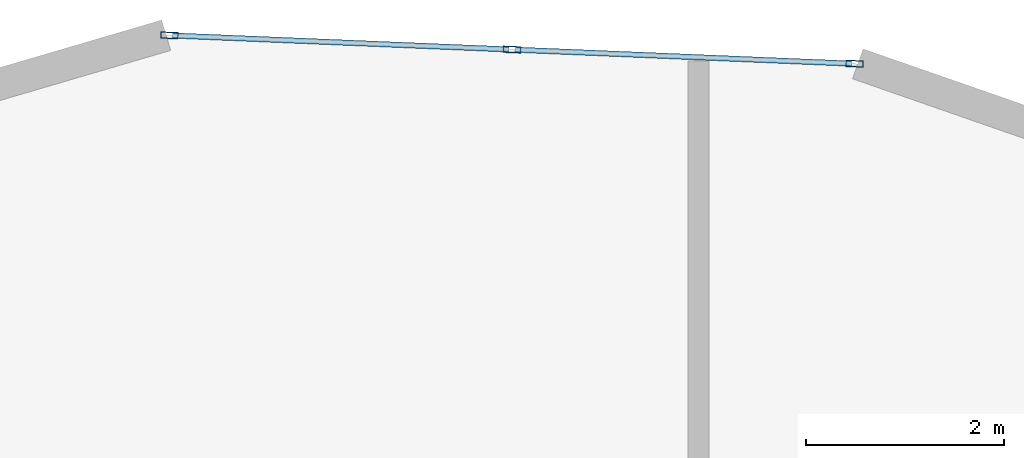
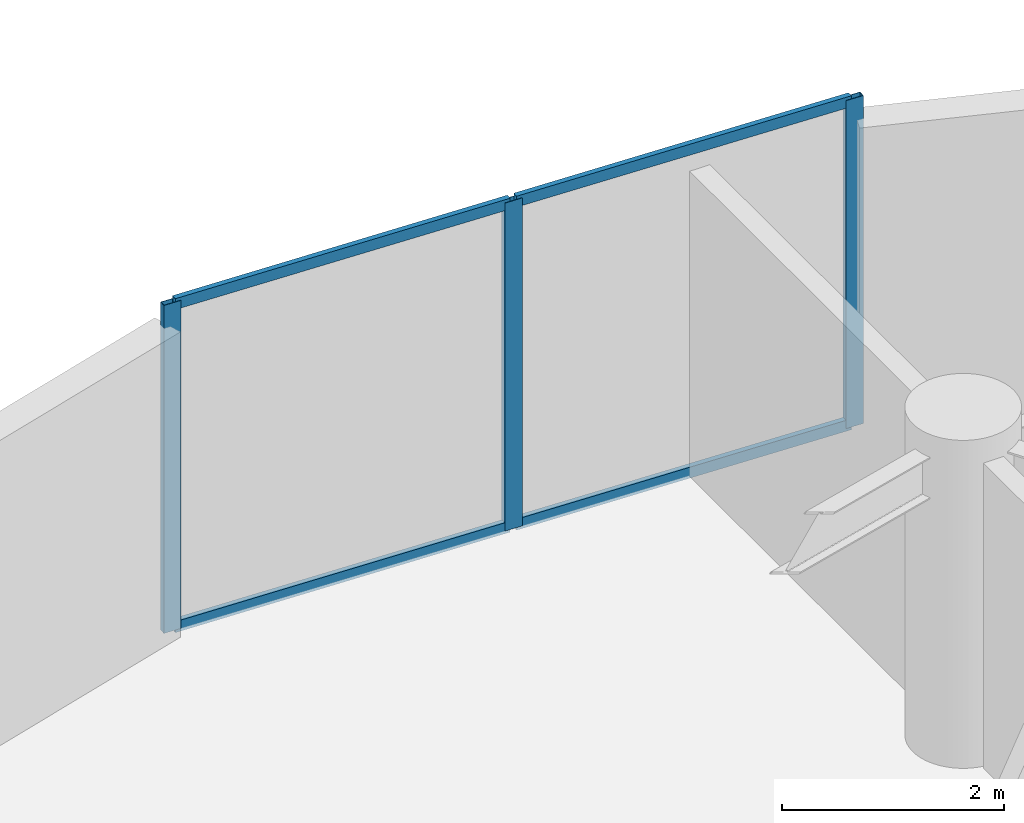
# One storey, part 15 of 23: 7 members, 1 element without a shape of its own.
"""IFC4 building model written with IfcOpenShell, lengths in metres."""

import ifcopenshell
import ifcopenshell.guid

model = None  # the IFC model being written
_history = None  # IfcOwnerHistory: only IFC2X3 demands one
_inside = {}  # id of a spatial element -> (the spatial element, [elements in it])
_under = {}  # id of a project, library or spatial element -> (it, [spatial elements below it])
_declared = {}  # id of a project -> (the project, [libraries it declares])
_typed = {}  # id of a type object -> (the type object, [elements of that type])
_made_of = {}  # id of a material, layer set ... -> (it, [elements and type objects made of it])


def new_model(schema):
    """Start an empty IFC model of exactly this schema.

    Asked for "IFC4X3", IfcOpenShell would pick the latest addendum, in which some entities
    have other attributes; the version numbers below select the first issue.
    IFC2X3 requires an IfcOwnerHistory on every rooted entity: one is made here for all.
    """
    global model, _history
    if schema == "IFC4X3":
        model = ifcopenshell.file(schema_version=(4, 3, 0, 0))
    else:
        model = ifcopenshell.file(schema=schema)
    _inside.clear()
    _under.clear()
    _declared.clear()
    _typed.clear()
    _made_of.clear()
    _history = None
    if model.schema == "IFC2X3":
        org = make("IfcOrganization", Name="unknown")
        user = make(
            "IfcPersonAndOrganization",
            ThePerson=make("IfcPerson", FamilyName="unknown"),
            TheOrganization=org,
        )
        app = make(
            "IfcApplication",
            ApplicationDeveloper=org,
            Version="unknown",
            ApplicationFullName="unknown",
            ApplicationIdentifier="unknown",
        )
        _history = make(
            "IfcOwnerHistory",
            OwningUser=user,
            OwningApplication=app,
            ChangeAction="ADDED",
            CreationDate=0,
        )
    return model


def make(cls, **values):
    """One entity of the class cls with the attributes given. An attribute that is None is left unset."""
    return model.create_entity(
        cls, **{name: value for name, value in values.items() if value is not None}
    )


def rooted(cls, **values):
    """An entity with a GlobalId (a new one), such as an element, a storey or a relation."""
    return make(cls, GlobalId=ifcopenshell.guid.new(), OwnerHistory=_history, **values)


def si_unit(unit_type, name, prefix=None):
    """IfcSIUnit, for example si_unit("LENGTHUNIT", "METRE", prefix="MILLI")."""
    return make("IfcSIUnit", UnitType=unit_type, Prefix=prefix, Name=name)


def assignment(units):
    """IfcUnitAssignment: the units of a project."""
    return None if units is None else make("IfcUnitAssignment", Units=units)


def point(xyz):
    """IfcCartesianPoint."""
    return None if xyz is None else make("IfcCartesianPoint", Coordinates=xyz)


def direction(xyz):
    """IfcDirection."""
    return None if xyz is None else make("IfcDirection", DirectionRatios=xyz)


def frame(location, z_axis=None, x_axis=None):
    """IfcAxis2Placement3D, a coordinate frame: its origin and axes. An axis left out is left unset."""
    return make(
        "IfcAxis2Placement3D",
        Location=point(location),
        Axis=direction(z_axis),
        RefDirection=direction(x_axis),
    )


def frame_2d(location, x_axis=None):
    """IfcAxis2Placement2D, a coordinate frame in the plane: its origin and x axis."""
    return make(
        "IfcAxis2Placement2D", Location=point(location), RefDirection=direction(x_axis)
    )


def origin():
    """The frame at (0, 0, 0) with its axes left unset."""
    return frame((0.0, 0.0, 0.0))


def origin_2d():
    """The frame at (0, 0) in the plane with its x axis left unset."""
    return frame_2d((0.0, 0.0))


def place(relative_to, where):
    """IfcLocalPlacement: puts the frame where relative to a parent placement (None: the world)."""
    return make(
        "IfcLocalPlacement", PlacementRelTo=relative_to, RelativePlacement=where
    )


def context(
    kind, dimensions, precision=None, world=None, true_north=None, identifier=None
):
    """IfcGeometricRepresentationContext, for example the 3D "Model" context."""
    return make(
        "IfcGeometricRepresentationContext",
        ContextIdentifier=identifier,
        ContextType=kind,
        CoordinateSpaceDimension=dimensions,
        Precision=precision,
        WorldCoordinateSystem=world,
        TrueNorth=true_north,
    )


def subcontext(parent, identifier, kind, view, scale=None):
    """IfcGeometricRepresentationSubContext, for example "Body" below "Model"."""
    return make(
        "IfcGeometricRepresentationSubContext",
        ContextIdentifier=identifier,
        ContextType=kind,
        ParentContext=parent,
        TargetScale=scale,
        TargetView=view,
    )


def project(units=None, contexts=None):
    """IfcProject with its units and contexts."""
    return rooted(
        "IfcProject",
        Name="project",
        RepresentationContexts=contexts,
        UnitsInContext=assignment(units),
    )


def spatial(cls, under=None, at=None, **own):
    """A site, building, storey or space (cls), placed at a placement, below another one or the project."""
    s = rooted(cls, ObjectPlacement=at, **own)
    if under is not None:
        _under.setdefault(under.id(), (under, []))[1].append(s)
    return s


def profile(cls, at=None, kind="AREA", **sizes):
    """A parametric profile (cls). Its sizes go by their IFC names, for example OverallWidth=200.0."""
    return make(cls, ProfileType=kind, Position=at, **sizes)


def hollow_rectangle(**sizes):
    """IfcRectangleHollowProfileDef."""
    return profile("IfcRectangleHollowProfileDef", **sizes)


def extrude(swept, where, along, depth):
    """IfcExtrudedAreaSolid: the profile swept, set in the frame where, extruded along a direction by depth."""
    return make(
        "IfcExtrudedAreaSolid",
        SweptArea=swept,
        Position=where,
        ExtrudedDirection=direction(along),
        Depth=depth,
    )


def shape(context_of_items, identifier, shape_type, items):
    """IfcShapeRepresentation: the items that make up one representation, for example the "Body"."""
    return make(
        "IfcShapeRepresentation",
        ContextOfItems=context_of_items,
        RepresentationIdentifier=identifier,
        RepresentationType=shape_type,
        Items=items,
    )


def source(mapping_origin, context_of_items, identifier, shape_type, items):
    """IfcRepresentationMap: a shape defined once, which mapped items show again and again."""
    return make(
        "IfcRepresentationMap",
        MappingOrigin=mapping_origin,
        MappedRepresentation=shape(context_of_items, identifier, shape_type, items),
    )


def transform(
    local_origin,
    x_axis=None,
    y_axis=None,
    z_axis=None,
    scale=None,
    scale2=None,
    scale3=None,
    uniform=True,
):
    """IfcCartesianTransformationOperator3D, or its non-uniform kind. x_axis, y_axis, z_axis: its Axis1, 2, 3."""
    if uniform:
        return make(
            "IfcCartesianTransformationOperator3D",
            Axis1=direction(x_axis),
            Axis2=direction(y_axis),
            LocalOrigin=point(local_origin),
            Scale=scale,
            Axis3=direction(z_axis),
        )
    return make(
        "IfcCartesianTransformationOperator3DnonUniform",
        Axis1=direction(x_axis),
        Axis2=direction(y_axis),
        LocalOrigin=point(local_origin),
        Scale=scale,
        Axis3=direction(z_axis),
        Scale2=scale2,
        Scale3=scale3,
    )


def mapped(mapping_source, mapping_target):
    """IfcMappedItem: shows the shape of a source again, moved by a transform."""
    return make(
        "IfcMappedItem", MappingSource=mapping_source, MappingTarget=mapping_target
    )


def material(Name=None, Category=None):
    """IfcMaterial."""
    return make("IfcMaterial", Name=Name, Category=Category)


def layer(
    of_material, thickness, ventilated=None, Name=None, Category=None, Priority=None
):
    """IfcMaterialLayer: one layer of a wall or slab, of a material (None: an air gap)."""
    return make(
        "IfcMaterialLayer",
        Material=of_material,
        LayerThickness=thickness,
        IsVentilated=ventilated,
        Name=Name,
        Category=Category,
        Priority=Priority,
    )


def layer_set(layers, Name=None):
    """IfcMaterialLayerSet."""
    return make("IfcMaterialLayerSet", MaterialLayers=layers, LayerSetName=Name)


def material_profile(
    of_material, cross_section, Name=None, Category=None, Priority=None
):
    """IfcMaterialProfile: a cross section and its material."""
    return make(
        "IfcMaterialProfile",
        Name=Name,
        Material=of_material,
        Profile=cross_section,
        Priority=Priority,
        Category=Category,
    )


def profile_set(profiles, Name=None, composite=None):
    """IfcMaterialProfileSet."""
    return make(
        "IfcMaterialProfileSet",
        Name=Name,
        MaterialProfiles=profiles,
        CompositeProfile=composite,
    )


def made_of(thing, what):
    """Note that an element or type object is made of a material, layer set ...; save() writes the relation."""
    if what is not None:
        _made_of.setdefault(what.id(), (what, []))[1].append(thing)
    return thing


def type_object(cls, material=None, **own):
    """A type object (cls), such as IfcWallType, which elements share."""
    return made_of(rooted(cls, **own), material)


def element(
    cls,
    number,
    at=None,
    inside=None,
    cuts=None,
    type_object=None,
    material=None,
    context=None,
    identifier="Body",
    shape_type=None,
    held_by="IfcProductDefinitionShape",
    body=None,
    shapes=None,
    **own,
):
    """One element of the class cls, such as IfcWall. Its Tag is "e" and its number.

    at: its placement. inside: the storey or other place that contains it. cuts: it is an
    opening in that element (IfcRelVoidsElement). A single representation is given by context,
    identifier, shape_type and body (its items); several are given by shapes. held_by: the class
    of the entity that holds the representations. save() writes the other relations.
    """
    e = rooted(cls, Tag="e%d" % number, ObjectPlacement=at, **own)
    if body is not None:
        shapes = [shape(context, identifier, shape_type, body)]
    if shapes is not None:
        e.Representation = make(held_by, Representations=shapes)
    if inside is not None:
        _inside.setdefault(inside.id(), (inside, []))[1].append(e)
    if cuts is not None:
        rooted(
            "IfcRelVoidsElement", RelatingBuildingElement=cuts, RelatedOpeningElement=e
        )
    if type_object is not None:
        _typed.setdefault(type_object.id(), (type_object, []))[1].append(e)
    return made_of(e, material)


def aggregate(whole, parts):
    """IfcRelAggregates: a whole, such as a stair, and the parts it consists of."""
    return rooted("IfcRelAggregates", RelatingObject=whole, RelatedObjects=parts)


def save(model, path):
    """Write the relations noted so far, then the file.

    IfcRelAggregates (storeys below a building ...), IfcRelContainedInSpatialStructure (elements
    in a storey), IfcRelDefinesByType, IfcRelAssociatesMaterial and IfcRelDeclares: one each for
    every whole, place, type object, material and project.
    """
    for whole, parts in _under.values():
        aggregate(whole, parts)
    for where, things in _inside.values():
        rooted(
            "IfcRelContainedInSpatialStructure",
            RelatedElements=things,
            RelatingStructure=where,
        )
    for kind, things in _typed.values():
        rooted("IfcRelDefinesByType", RelatedObjects=things, RelatingType=kind)
    for what, things in _made_of.values():
        rooted("IfcRelAssociatesMaterial", RelatedObjects=things, RelatingMaterial=what)
    for by, libraries in _declared.values():
        rooted("IfcRelDeclares", RelatingContext=by, RelatedDefinitions=libraries)
    model.write(path)


model = new_model("IFC4")

# Units and contexts
model_context = context("Model", 3, precision=1e-05, world=origin(), true_north=direction((0.0, 1.0)))
body_context = subcontext(model_context, "Body", "Model", "MODEL_VIEW")
ifc_project = project(units=[si_unit("LENGTHUNIT", "METRE"), si_unit("AREAUNIT", "SQUARE_METRE"), si_unit("VOLUMEUNIT", "CUBIC_METRE"), si_unit("PLANEANGLEUNIT", "RADIAN"), si_unit("MASSUNIT", "GRAM", prefix="KILO")], contexts=[model_context])

# Site, building, storey
site_placement = place(None, origin())
site = spatial("IfcSite", under=ifc_project, at=site_placement, CompositionType="ELEMENT")
building_placement = place(site_placement, origin())
building = spatial("IfcBuilding", under=site, at=building_placement, Name="Solvirekh Grand Hotel", CompositionType="ELEMENT")
storey_placement = place(building_placement, frame((0.0, 0.0, 138.60009765625)))
storey = spatial("IfcBuildingStorey", under=building, at=storey_placement, Name="L35", CompositionType="ELEMENT", Elevation=138.60009765625)

# Curtain wall, members
ifc_material = material(Name="Anodized Bronze Aluminium 6063-T6", Category="aluminium")
ifc_layer = layer(ifc_material, 0.175048828125)
ifc_layer_set = layer_set([ifc_layer], Name="Anodized Bronze Aluminium 6063-T6")
curtain_wall_type = type_object("IfcCurtainWallType", Name="CW_Sys3_MidZoneFlushBronzeCW", PredefinedType="NOTDEFINED", material=ifc_layer_set)
curtain_wall_placement = place(storey_placement, origin())
curtain_wall = element("IfcCurtainWall", 1, at=curtain_wall_placement, inside=storey, type_object=curtain_wall_type, Name="L35 unitised bronze-glass curtain wall CW-L35-C08", PredefinedType="NOTDEFINED")
ifc_material_profile_1 = material_profile(ifc_material, hollow_rectangle(XDim=0.06494140625, YDim=0.175048828125, WallThickness=0.0048828125, at=origin_2d()), Name="ALU RHS 175X65X5")
ifc_profile_set_1 = profile_set([ifc_material_profile_1], Name="Anodized Bronze Aluminium 6063-T6")
member_type_1 = type_object("IfcMemberType", Name="CWMullion_Sys3", PredefinedType="MULLION", material=ifc_profile_set_1)
shared_shape_1 = source(origin(), body_context, "Body", "SweptSolid", [
    extrude(hollow_rectangle(XDim=0.06494140625, YDim=0.175048828125, WallThickness=0.0048828125, at=origin_2d()), origin(), (0.0, 0.0, 1.0), 3.599853515625),
])
member_1_placement = place(storey_placement, frame((1.57763671875, 21.71240234375, 0.0), z_axis=(0.0, 0.0, 1.0), x_axis=(-0.041350825581, -0.999144688833, 0.0)))
member_1 = element("IfcMember", 2, at=member_1_placement, type_object=member_type_1, Name="U03 mullion 1", PredefinedType="MULLION", context=body_context, shape_type="MappedRepresentation", body=[
    mapped(shared_shape_1, transform((0.0, 0.0, 0.0), x_axis=(1.0, 0.0, 0.0), y_axis=(0.0, 1.0, 0.0), z_axis=(0.0, 0.0, 1.0), scale=1.0)),
])
member_2_placement = place(storey_placement, frame((-1.881591796875, 21.85546875, 0.0), z_axis=(0.0, 0.0, 1.0), x_axis=(-0.041350825581, -0.999144688833, 0.0)))
member_2 = element("IfcMember", 3, at=member_2_placement, type_object=member_type_1, Name="U03 mullion 2", PredefinedType="MULLION", context=body_context, shape_type="MappedRepresentation", body=[
    mapped(shared_shape_1, transform((0.0, 0.0, 0.0), x_axis=(1.0, 0.0, 0.0), y_axis=(0.0, 1.0, 0.0), z_axis=(0.0, 0.0, 1.0), scale=1.0)),
])
member_3_placement = place(storey_placement, frame((-5.340576171875, 21.99853515625, 0.0), z_axis=(0.0, 0.0, 1.0), x_axis=(-0.041350825581, -0.999144688833, 0.0)))
member_3 = element("IfcMember", 4, at=member_3_placement, type_object=member_type_1, Name="U03 mullion 3", PredefinedType="MULLION", context=body_context, shape_type="MappedRepresentation", body=[
    mapped(shared_shape_1, transform((0.0, 0.0, 0.0), x_axis=(1.0, 0.0, 0.0), y_axis=(0.0, 1.0, 0.0), z_axis=(0.0, 0.0, 1.0), scale=1.0)),
])
ifc_material_profile_2 = material_profile(ifc_material, hollow_rectangle(XDim=0.054931640625, YDim=0.1201171875, WallThickness=0.00390625, at=origin_2d()), Name="ALU RHS 120X55X4")
ifc_profile_set_2 = profile_set([ifc_material_profile_2], Name="Anodized Bronze Aluminium 6063-T6")
member_type_2 = type_object("IfcMemberType", Name="CWTransom_Sys3", PredefinedType="USERDEFINED", material=ifc_profile_set_2)
shared_shape_2 = source(origin(), body_context, "Body", "SweptSolid", [
    extrude(hollow_rectangle(XDim=0.054931640625, YDim=0.1201171875, WallThickness=0.00390625, at=origin_2d()), origin(), (0.0, 0.0, 1.0), 3.397216796875),
])
member_4_placement = place(storey_placement, frame((1.545166015625, 21.713623046875, 0.02734375), z_axis=(-0.999142884625, 0.041394397004, 0.0), x_axis=(-0.041394397004, -0.999142884625, 0.0)))
member_4 = element("IfcMember", 5, at=member_4_placement, type_object=member_type_2, Name="U03 transom 1.1", ObjectType="TRANSOM", PredefinedType="USERDEFINED", context=body_context, shape_type="MappedRepresentation", body=[
    mapped(shared_shape_2, transform((0.0, 0.0, 0.0), x_axis=(1.0, 0.0, 0.0), y_axis=(0.0, 1.0, 0.0), z_axis=(0.0, 0.0, 1.0), scale=1.0)),
])
member_5_placement = place(storey_placement, frame((1.545166015625, 21.713623046875, 3.572509765625), z_axis=(-0.999142884625, 0.041394397004, 0.0), x_axis=(-0.041394397004, -0.999142884625, 0.0)))
member_5 = element("IfcMember", 6, at=member_5_placement, type_object=member_type_2, Name="U03 transom 1.2", ObjectType="TRANSOM", PredefinedType="USERDEFINED", context=body_context, shape_type="MappedRepresentation", body=[
    mapped(shared_shape_2, transform((0.0, 0.0, 0.0), x_axis=(1.0, 0.0, 0.0), y_axis=(0.0, 1.0, 0.0), z_axis=(0.0, 0.0, 1.0), scale=1.0)),
])
shared_shape_3 = source(origin(), body_context, "Body", "SweptSolid", [
    extrude(hollow_rectangle(XDim=0.054931640625, YDim=0.1201171875, WallThickness=0.00390625, at=origin_2d()), origin(), (0.0, 0.0, 1.0), 3.39697265625),
])
member_6_placement = place(storey_placement, frame((-1.9140625, 21.85693359375, 0.02734375), z_axis=(-0.9991457316, 0.041325621901, 0.0), x_axis=(-0.041325621901, -0.9991457316, 0.0)))
member_6 = element("IfcMember", 7, at=member_6_placement, type_object=member_type_2, Name="U03 transom 2.1", ObjectType="TRANSOM", PredefinedType="USERDEFINED", context=body_context, shape_type="MappedRepresentation", body=[
    mapped(shared_shape_3, transform((0.0, 0.0, 0.0), x_axis=(1.0, 0.0, 0.0), y_axis=(0.0, 1.0, 0.0), z_axis=(0.0, 0.0, 1.0), scale=1.0)),
])
member_7_placement = place(storey_placement, frame((-1.9140625, 21.85693359375, 3.572509765625), z_axis=(-0.9991457316, 0.041325621901, 0.0), x_axis=(-0.041325621901, -0.9991457316, 0.0)))
member_7 = element("IfcMember", 8, at=member_7_placement, type_object=member_type_2, Name="U03 transom 2.2", ObjectType="TRANSOM", PredefinedType="USERDEFINED", context=body_context, shape_type="MappedRepresentation", body=[
    mapped(shared_shape_3, transform((0.0, 0.0, 0.0), x_axis=(1.0, 0.0, 0.0), y_axis=(0.0, 1.0, 0.0), z_axis=(0.0, 0.0, 1.0), scale=1.0)),
])
aggregate(curtain_wall, [member_1, member_2, member_3, member_4, member_5, member_6, member_7])

save(model, "model.ifc")
